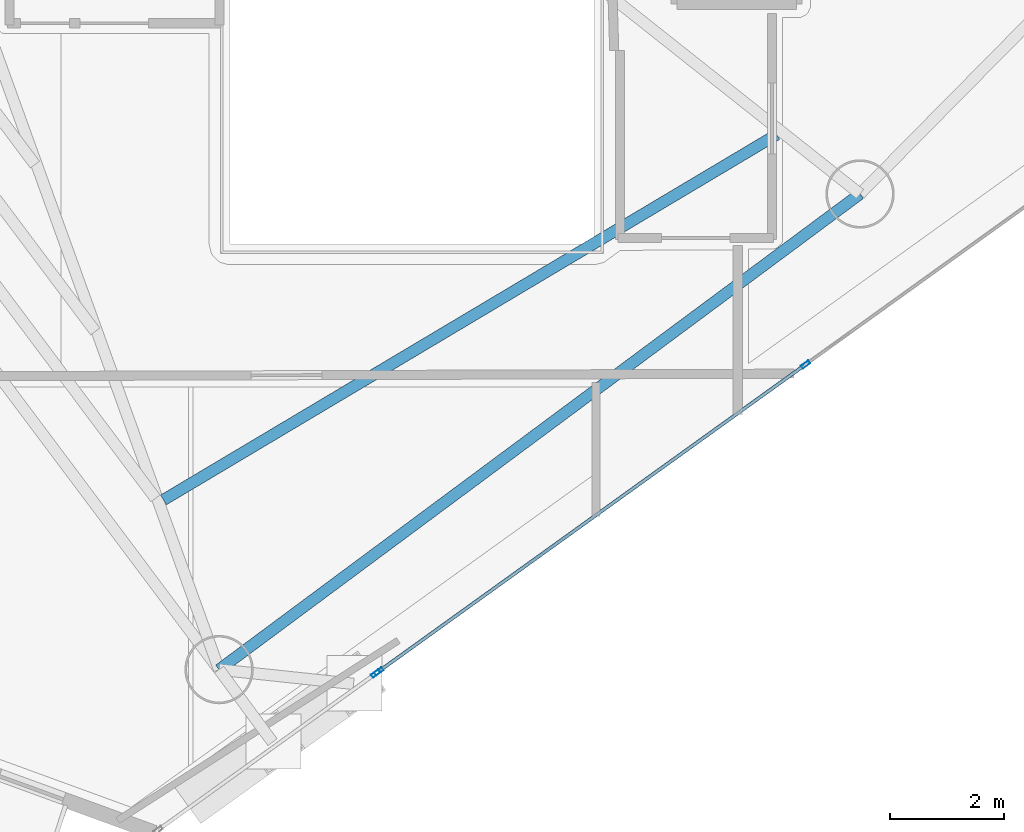
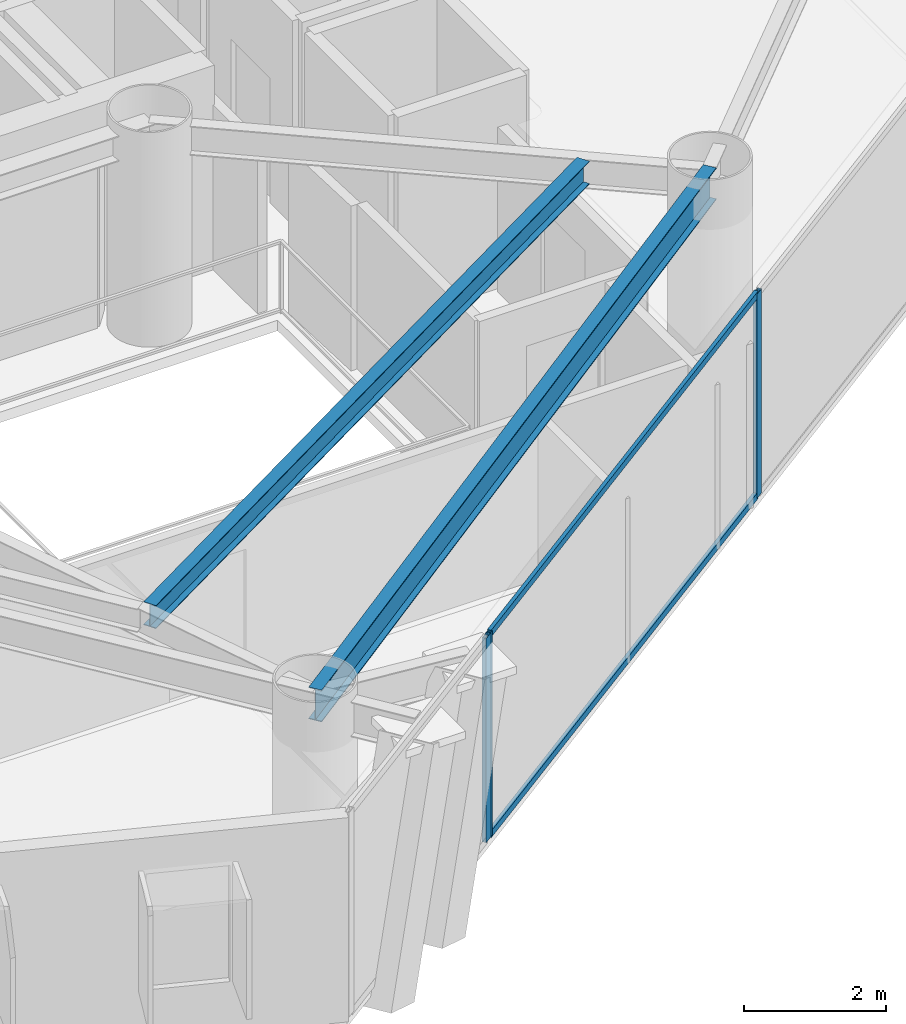
# One storey, part 6 of 22: 5 members, 2 beams, 2 elements without a shape of their own.
"""IFC4 building model written with IfcOpenShell, lengths in metres."""

from ifc_helpers import new_model, si_unit, direction, frame, origin, origin_2d, place, context, subcontext, project, spatial, hollow_rectangle, i_section, extrude, material, layer, layer_set, material_profile, profile_set, type_object, element, aggregate, save


model = new_model("IFC4")

# Units and contexts
model_context = context("Model", 3, precision=1e-05, world=origin(), true_north=direction((0.0, 1.0)))
body_context = subcontext(model_context, "Body", "Model", "MODEL_VIEW")
ifc_project = project(units=[si_unit("LENGTHUNIT", "METRE"), si_unit("AREAUNIT", "SQUARE_METRE"), si_unit("VOLUMEUNIT", "CUBIC_METRE"), si_unit("PLANEANGLEUNIT", "RADIAN"), si_unit("MASSUNIT", "GRAM", prefix="KILO")], contexts=[model_context])

# Site, building, storey
site_placement = place(None, origin())
site = spatial("IfcSite", under=ifc_project, at=site_placement, CompositionType="ELEMENT")
building_placement = place(site_placement, origin())
building = spatial("IfcBuilding", under=site, at=building_placement, Name="Qianvela Tower", CompositionType="ELEMENT")
storey_placement = place(building_placement, frame((0.0, 0.0, 196.60009765625)))
storey = spatial("IfcBuildingStorey", under=building, at=storey_placement, Name="L50", CompositionType="ELEMENT", Elevation=196.60009765625)

# Beams
ifc_material_1 = material(Name="Steel Q355B", Category="steel")
ifc_material_profile_1 = material_profile(ifc_material_1, i_section(OverallWidth=0.199951171875, OverallDepth=0.39990234375, WebThickness=0.008056640625, FlangeThickness=0.012939453125, at=origin_2d()), Name="HN400x200x8x13")
ifc_profile_set_1 = profile_set([ifc_material_profile_1], Name="Steel Q355B")
beam_type_1 = type_object("IfcBeamType", Name="BM-HN400-JOIST", PredefinedType="JOIST", material=ifc_profile_set_1)
beam_1_placement = place(storey_placement, frame((32.4365234375, 13.51025390625, 3.31787109375), z_axis=(0.859083505932, 0.511835451914, 0.0), x_axis=(-0.511835451914, 0.859083505932, 0.0)))
element("IfcBeam", 1, at=beam_1_placement, inside=storey, type_object=beam_type_1, Name="L50 Secondary Composite Floor Joist 5.3", PredefinedType="JOIST", context=body_context, shape_type="SweptSolid", body=[
    extrude(i_section(OverallWidth=0.199951171875, OverallDepth=0.39990234375, WebThickness=0.008056640625, FlangeThickness=0.012939453125, at=origin_2d()), origin(), (0.0, 0.0, 1.0), 12.535888671875),
])
ifc_material_2 = material(Name="Steel Q355B", Category="steel")
ifc_material_profile_2 = material_profile(ifc_material_2, i_section(OverallWidth=0.199951171875, OverallDepth=0.550048828125, WebThickness=0.010009765625, FlangeThickness=0.01611328125, at=origin_2d()), Name="HN550x200x10x16")
ifc_profile_set_2 = profile_set([ifc_material_profile_2], Name="Steel Q355B")
beam_type_2 = type_object("IfcBeamType", Name="BM-HN550-GIRD", PredefinedType="BEAM", material=ifc_profile_set_2)
beam_2_placement = place(storey_placement, frame((33.4130859375, 10.531005859375, 3.242919921875), z_axis=(0.803016810701, 0.595956375696, 0.0), x_axis=(-0.595956375696, 0.803016810701, 0.0)))
element("IfcBeam", 2, at=beam_2_placement, inside=storey, type_object=beam_type_2, Name="L50 Perimeter Ring Spandrel Girder 5", PredefinedType="BEAM", context=body_context, shape_type="SweptSolid", body=[
    extrude(i_section(OverallWidth=0.199951171875, OverallDepth=0.550048828125, WebThickness=0.010009765625, FlangeThickness=0.01611328125, at=origin_2d()), origin(), (0.0, 0.0, 1.0), 14.0146484375),
])

# Curtain wall, member
ifc_material_3 = material(Name="Anodised Architectural Aluminium and Insulated Spandrel Panel", Category="aluminium")
ifc_layer_1 = layer(ifc_material_3, 0.179931640625)
ifc_layer_set_1 = layer_set([ifc_layer_1], Name="Anodised Architectural Aluminium and Insulated Spandrel Panel")
curtain_wall_type_1 = type_object("IfcCurtainWallType", Name="CW-BRACEBAY", PredefinedType="USERDEFINED", material=ifc_layer_set_1)
curtain_wall_1_placement = place(storey_placement, origin())
curtain_wall_1 = element("IfcCurtainWall", 3, at=curtain_wall_1_placement, inside=storey, type_object=curtain_wall_type_1, Name="L50 CW-BRACEBAY Curtain Wall 06A", ObjectType="CURTAIN_WALL_SYSTEM", PredefinedType="USERDEFINED")
ifc_material_4 = material(Name="Anodised Architectural Aluminium 6063-T6", Category="aluminium")
ifc_material_profile_3 = material_profile(ifc_material_4, hollow_rectangle(XDim=0.06494140625, YDim=0.159912109375, WallThickness=0.0048828125, at=origin_2d()), Name="ALU-MULL-65x160")
ifc_profile_set_3 = profile_set([ifc_material_profile_3], Name="Anodised Architectural Aluminium 6063-T6")
member_type_1 = type_object("IfcMemberType", Name="CW-BRACEBAY-MULL", PredefinedType="MULLION", material=ifc_profile_set_3)
member_1_placement = place(storey_placement, frame((36.163818359375, 10.46142578125, 0.0), z_axis=(0.0, 0.0, 1.0), x_axis=(-0.58371639372, 0.811957616937, 0.0)))
member_1 = element("IfcMember", 4, at=member_1_placement, type_object=member_type_1, Name="CW-9 mullion 2", PredefinedType="MULLION", context=body_context, shape_type="SweptSolid", body=[
    extrude(hollow_rectangle(XDim=0.06494140625, YDim=0.159912109375, WallThickness=0.0048828125, at=origin_2d()), origin(), (0.0, 0.0, 1.0), 3.52001953125),
])
aggregate(curtain_wall_1, [member_1])

# Curtain wall, members
ifc_material_5 = material(Name="Anodised Architectural Aluminium and Low-E Glass", Category="aluminium")
ifc_layer_2 = layer(ifc_material_5, 0.159912109375)
ifc_layer_set_2 = layer_set([ifc_layer_2], Name="Anodised Architectural Aluminium and Low-E Glass")
curtain_wall_type_2 = type_object("IfcCurtainWallType", Name="CW-COLIV-Z56", PredefinedType="USERDEFINED", material=ifc_layer_set_2)
curtain_wall_2_placement = place(storey_placement, origin())
curtain_wall_2 = element("IfcCurtainWall", 5, at=curtain_wall_2_placement, inside=storey, type_object=curtain_wall_type_2, Name="L50 CW-COLIV-Z56 Curtain Wall 06B", ObjectType="CURTAIN_WALL_SYSTEM", PredefinedType="USERDEFINED")
ifc_material_6 = material(Name="Anodised Architectural Aluminium 6063-T6", Category="aluminium")
ifc_material_profile_4 = material_profile(ifc_material_6, hollow_rectangle(XDim=0.06494140625, YDim=0.159912109375, WallThickness=0.0048828125, at=origin_2d()), Name="ALU-MULL-65x160")
ifc_profile_set_4 = profile_set([ifc_material_profile_4], Name="Anodised Architectural Aluminium 6063-T6")
member_type_2 = type_object("IfcMemberType", Name="CW-COLIV-Z56-MULL", PredefinedType="MULLION", material=ifc_profile_set_4)
member_2_placement = place(storey_placement, frame((36.216552734375, 10.49951171875, 0.0), z_axis=(0.0, 0.0, 1.0), x_axis=(-0.583724581505, 0.811951730676, 0.0)))
member_2 = element("IfcMember", 6, at=member_2_placement, type_object=member_type_2, Name="CW-5 mullion 1", PredefinedType="MULLION", context=body_context, shape_type="SweptSolid", body=[
    extrude(hollow_rectangle(XDim=0.06494140625, YDim=0.159912109375, WallThickness=0.0048828125, at=origin_2d()), origin(), (0.0, 0.0, 1.0), 3.52001953125),
])
member_3_placement = place(storey_placement, frame((43.711181640625, 15.887451171875, 0.0), z_axis=(0.0, 0.0, 1.0), x_axis=(-0.583724581505, 0.811951730676, 0.0)))
member_3 = element("IfcMember", 7, at=member_3_placement, type_object=member_type_2, Name="CW-5 mullion 2", PredefinedType="MULLION", context=body_context, shape_type="SweptSolid", body=[
    extrude(hollow_rectangle(XDim=0.06494140625, YDim=0.159912109375, WallThickness=0.0048828125, at=origin_2d()), origin(), (0.0, 0.0, 1.0), 3.52001953125),
])
ifc_material_7 = material(Name="Anodised Architectural Aluminium 6063-T6", Category="aluminium")
ifc_material_profile_5 = material_profile(ifc_material_7, hollow_rectangle(XDim=0.06005859375, YDim=0.114990234375, WallThickness=0.00390625, at=origin_2d()), Name="ALU-TRAN-60x115")
ifc_profile_set_5 = profile_set([ifc_material_profile_5], Name="Anodised Architectural Aluminium 6063-T6")
member_type_3 = type_object("IfcMemberType", Name="CW-COLIV-Z56-TRAN", PredefinedType="USERDEFINED", material=ifc_profile_set_5)
member_4_placement = place(storey_placement, frame((36.242919921875, 10.5185546875, 0.02978515625), z_axis=(0.811955006815, 0.58372002442, 0.0), x_axis=(-0.58372002442, 0.811955006815, 0.0)))
member_4 = element("IfcMember", 8, at=member_4_placement, type_object=member_type_3, Name="CW-5 transom 1.1", ObjectType="TRANSOM", PredefinedType="USERDEFINED", context=body_context, shape_type="SweptSolid", body=[
    extrude(hollow_rectangle(XDim=0.06005859375, YDim=0.114990234375, WallThickness=0.00390625, at=origin_2d()), origin(), (0.0, 0.0, 1.0), 9.1650390625),
])
member_5_placement = place(storey_placement, frame((36.242919921875, 10.5185546875, 3.489990234375), z_axis=(0.811955006815, 0.58372002442, 0.0), x_axis=(-0.58372002442, 0.811955006815, 0.0)))
member_5 = element("IfcMember", 9, at=member_5_placement, type_object=member_type_3, Name="CW-5 transom 1.2", ObjectType="TRANSOM", PredefinedType="USERDEFINED", context=body_context, shape_type="SweptSolid", body=[
    extrude(hollow_rectangle(XDim=0.06005859375, YDim=0.114990234375, WallThickness=0.00390625, at=origin_2d()), origin(), (0.0, 0.0, 1.0), 9.1650390625),
])
aggregate(curtain_wall_2, [member_2, member_3, member_4, member_5])

save(model, "model.ifc")
